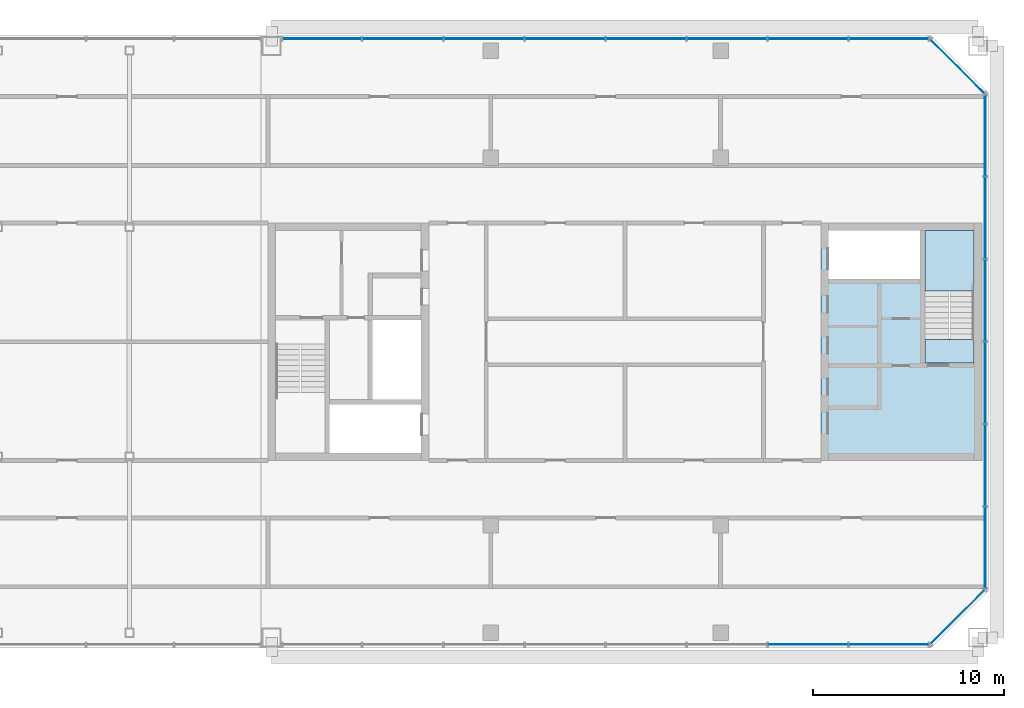
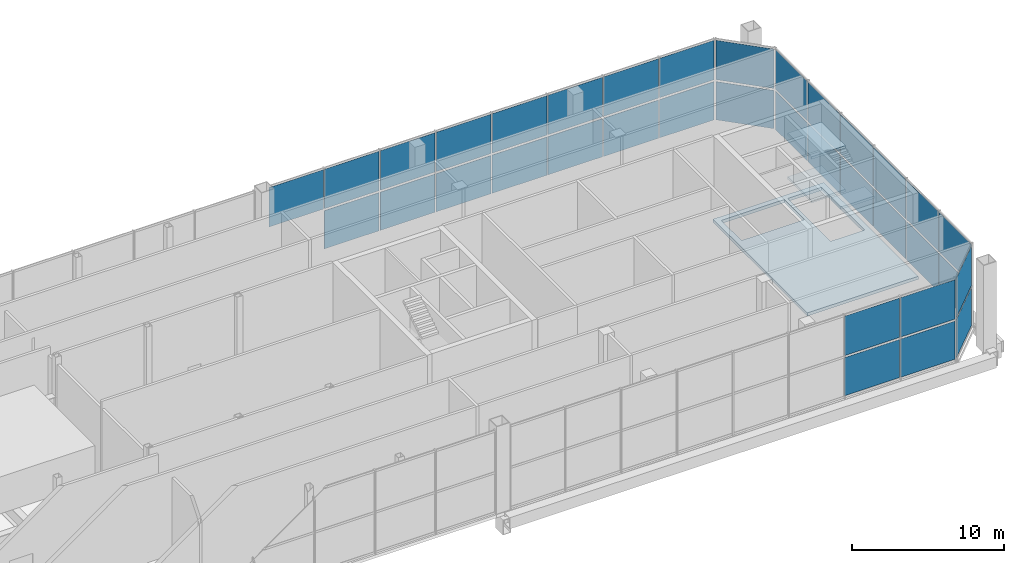
# One storey, part 16 of 27: 35 plates, 4 slabs, 6 elements without a shape of their own.
"""IFC4 building model written with IfcOpenShell, lengths in metres."""

from ifc_helpers import new_model, si_unit, direction, frame, origin, origin_2d, place, context, subcontext, project, spatial, polyline, rectangle, outline, extrude, material, layer, layer_set, type_object, element, aggregate, save


model = new_model("IFC4")

# Units and contexts
model_context = context("Model", 3, precision=1e-05, world=origin(), true_north=direction((0.0, 1.0)))
body_context = subcontext(model_context, "Body", "Model", "MODEL_VIEW")
ifc_project = project(units=[si_unit("LENGTHUNIT", "METRE"), si_unit("AREAUNIT", "SQUARE_METRE"), si_unit("VOLUMEUNIT", "CUBIC_METRE"), si_unit("PLANEANGLEUNIT", "RADIAN"), si_unit("MASSUNIT", "GRAM", prefix="KILO")], contexts=[model_context])

# Site, building, storey
site_placement = place(None, origin())
site = spatial("IfcSite", under=ifc_project, at=site_placement, CompositionType="ELEMENT")
building_placement = place(site_placement, origin())
building = spatial("IfcBuilding", under=site, at=building_placement, Name="Tuart Gate Housing", CompositionType="ELEMENT")
storey_placement = place(building_placement, frame((0.0, 0.0, 236.89990234375)))
storey = spatial("IfcBuildingStorey", under=building, at=storey_placement, Name="L67", CompositionType="ELEMENT", Elevation=236.89990234375)

# Slab
ifc_material_1 = material(Name="Concrete C40", Category="concrete")
ifc_layer_1 = layer(ifc_material_1, 0.25)
ifc_layer_set_1 = layer_set([ifc_layer_1], Name="Core floor slab 250")
slab_type_1 = type_object("IfcSlabType", Name="Core floor slab 250", PredefinedType="FLOOR", material=ifc_layer_set_1)
slab_1_placement = place(storey_placement, frame((0.0, 0.0, -0.25)))
element("IfcSlab", 1, at=slab_1_placement, inside=storey, type_object=slab_type_1, Name="Core floor BK", PredefinedType="FLOOR", context=body_context, shape_type="SweptSolid", body=[
    extrude(outline(polyline([(160.239990234375, 63.800048828125), (168.639892578125, 63.800048828125), (168.639892578125, 76.199951171875), (160.239990234375, 76.199951171875), (160.239990234375, 63.800048828125)]), holes=[polyline([(160.639892578125, 73.14990234375), (165.4150390625, 73.14990234375), (165.4150390625, 75.800048828125), (160.639892578125, 75.800048828125), (160.639892578125, 73.14990234375)]), polyline([(165.6650390625, 70.14501953125), (168.239990234375, 70.14501953125), (168.239990234375, 75.800048828125), (165.6650390625, 75.800048828125), (165.6650390625, 70.14501953125)])]), origin(), (0.0, 0.0, 1.0), 0.25),
])

# Curtain wall, plates
ifc_material_2 = material(Name="Aluminium and clear glass", Category="aluminium")
curtain_wall_type = type_object("IfcCurtainWallType", Name="Damper floor glazing", PredefinedType="USERDEFINED", material=ifc_material_2)
curtain_wall_1_placement = place(storey_placement, origin())
curtain_wall_1 = element("IfcCurtainWall", 2, at=curtain_wall_1_placement, inside=storey, type_object=curtain_wall_type, Name="Damper floor glazing BLK-S L67", ObjectType="DAMPER FLOOR GLAZING", PredefinedType="USERDEFINED")
ifc_material_3 = material(Name="Glass, damper floor glazing", Category="glass")
ifc_layer_2 = layer(ifc_material_3, 0.028076171875)
ifc_layer_set_2 = layer_set([ifc_layer_2], Name="Glazed panel 28 damper floor")
plate_type = type_object("IfcPlateType", Name="Glazed panel 28 damper floor", PredefinedType="CURTAIN_PANEL", material=ifc_layer_set_2)
plate_1_placement = place(storey_placement, frame((159.57373046875, 54.179931640625, 0.16015625), z_axis=(0.0, 0.0, 1.0), x_axis=(1.0, 0.0, 0.0)))
plate_1 = element("IfcPlate", 3, at=plate_1_placement, type_object=plate_type, Name="CW5 panel 7.1", PredefinedType="CURTAIN_PANEL", context=body_context, shape_type="SweptSolid", body=[
    extrude(rectangle(XDim=4.154541015625, YDim=0.028076171875, at=origin_2d()), origin(), (0.0, 0.0, 1.0), 3.06005859375),
])
plate_2_placement = place(storey_placement, frame((159.57373046875, 54.179931640625, 3.38037109375), z_axis=(0.0, 0.0, 1.0), x_axis=(1.0, 0.0, 0.0)))
plate_2 = element("IfcPlate", 4, at=plate_2_placement, type_object=plate_type, Name="CW5 panel 7.2", PredefinedType="CURTAIN_PANEL", context=body_context, shape_type="SweptSolid", body=[
    extrude(rectangle(XDim=4.154541015625, YDim=0.028076171875, at=origin_2d()), origin(), (0.0, 0.0, 1.0), 3.159912109375),
])
plate_3_placement = place(storey_placement, frame((163.788330078125, 54.179931640625, 0.16015625), z_axis=(0.0, 0.0, 1.0), x_axis=(1.0, 0.0, 0.0)))
plate_3 = element("IfcPlate", 5, at=plate_3_placement, type_object=plate_type, Name="CW5 panel 8.1", PredefinedType="CURTAIN_PANEL", context=body_context, shape_type="SweptSolid", body=[
    extrude(rectangle(XDim=4.114501953125, YDim=0.028076171875, at=origin_2d()), origin(), (0.0, 0.0, 1.0), 3.06005859375),
])
plate_4_placement = place(storey_placement, frame((163.788330078125, 54.179931640625, 3.38037109375), z_axis=(0.0, 0.0, 1.0), x_axis=(1.0, 0.0, 0.0)))
plate_4 = element("IfcPlate", 6, at=plate_4_placement, type_object=plate_type, Name="CW5 panel 8.2", PredefinedType="CURTAIN_PANEL", context=body_context, shape_type="SweptSolid", body=[
    extrude(rectangle(XDim=4.114501953125, YDim=0.028076171875, at=origin_2d()), origin(), (0.0, 0.0, 1.0), 3.159912109375),
])
aggregate(curtain_wall_1, [plate_1, plate_2, plate_3, plate_4])

curtain_wall_2_placement = place(storey_placement, origin())
curtain_wall_2 = element("IfcCurtainWall", 7, at=curtain_wall_2_placement, inside=storey, type_object=curtain_wall_type, Name="Damper floor glazing BLK-SE L67", ObjectType="DAMPER FLOOR GLAZING", PredefinedType="USERDEFINED")
plate_5_placement = place(storey_placement, frame((167.372802734375, 55.627197265625, 0.16015625), z_axis=(0.0, 0.0, 1.0), x_axis=(0.707106781187, 0.707106781187, 0.0)))
plate_5 = element("IfcPlate", 8, at=plate_5_placement, type_object=plate_type, Name="CW5 panel 1.1", PredefinedType="CURTAIN_PANEL", context=body_context, shape_type="SweptSolid", body=[
    extrude(rectangle(XDim=3.93359375, YDim=0.028076171875, at=origin_2d()), origin(), (0.0, 0.0, 1.0), 3.06005859375),
])
plate_6_placement = place(storey_placement, frame((167.372802734375, 55.627197265625, 3.38037109375), z_axis=(0.0, 0.0, 1.0), x_axis=(0.707106781187, 0.707106781187, 0.0)))
plate_6 = element("IfcPlate", 9, at=plate_6_placement, type_object=plate_type, Name="CW5 panel 1.2", PredefinedType="CURTAIN_PANEL", context=body_context, shape_type="SweptSolid", body=[
    extrude(rectangle(XDim=3.93359375, YDim=0.028076171875, at=origin_2d()), origin(), (0.0, 0.0, 1.0), 3.159912109375),
])
aggregate(curtain_wall_2, [plate_5, plate_6])

curtain_wall_3_placement = place(storey_placement, origin())
curtain_wall_3 = element("IfcCurtainWall", 10, at=curtain_wall_3_placement, inside=storey, type_object=curtain_wall_type, Name="Damper floor glazing BLK-E L67", ObjectType="DAMPER FLOOR GLAZING", PredefinedType="USERDEFINED")
plate_7_placement = place(storey_placement, frame((168.820068359375, 59.248779296875, 0.16015625), z_axis=(0.0, 0.0, 1.0), x_axis=(0.0, 1.0, 0.0)))
plate_7 = element("IfcPlate", 11, at=plate_7_placement, type_object=plate_type, Name="CW5 panel 1.1", PredefinedType="CURTAIN_PANEL", context=body_context, shape_type="SweptSolid", body=[
    extrude(rectangle(XDim=4.1884765625, YDim=0.028076171875, at=origin_2d()), origin(), (0.0, 0.0, 1.0), 3.06005859375),
])
plate_8_placement = place(storey_placement, frame((168.820068359375, 59.248779296875, 3.38037109375), z_axis=(0.0, 0.0, 1.0), x_axis=(0.0, 1.0, 0.0)))
plate_8 = element("IfcPlate", 12, at=plate_8_placement, type_object=plate_type, Name="CW5 panel 1.2", PredefinedType="CURTAIN_PANEL", context=body_context, shape_type="SweptSolid", body=[
    extrude(rectangle(XDim=4.1884765625, YDim=0.028076171875, at=origin_2d()), origin(), (0.0, 0.0, 1.0), 3.159912109375),
])
plate_9_placement = place(storey_placement, frame((168.820068359375, 63.537353515625, 0.16015625), z_axis=(0.0, 0.0, 1.0), x_axis=(0.0, 1.0, 0.0)))
plate_9 = element("IfcPlate", 13, at=plate_9_placement, type_object=plate_type, Name="CW5 panel 2.1", PredefinedType="CURTAIN_PANEL", context=body_context, shape_type="SweptSolid", body=[
    extrude(rectangle(XDim=4.228515625, YDim=0.028076171875, at=origin_2d()), origin(), (0.0, 0.0, 1.0), 3.06005859375),
])
plate_10_placement = place(storey_placement, frame((168.820068359375, 63.537353515625, 3.38037109375), z_axis=(0.0, 0.0, 1.0), x_axis=(0.0, 1.0, 0.0)))
plate_10 = element("IfcPlate", 14, at=plate_10_placement, type_object=plate_type, Name="CW5 panel 2.2", PredefinedType="CURTAIN_PANEL", context=body_context, shape_type="SweptSolid", body=[
    extrude(rectangle(XDim=4.228515625, YDim=0.028076171875, at=origin_2d()), origin(), (0.0, 0.0, 1.0), 3.159912109375),
])
plate_11_placement = place(storey_placement, frame((168.820068359375, 67.845703125, 0.16015625), z_axis=(0.0, 0.0, 1.0), x_axis=(0.0, 1.0, 0.0)))
plate_11 = element("IfcPlate", 15, at=plate_11_placement, type_object=plate_type, Name="CW5 panel 3.1", PredefinedType="CURTAIN_PANEL", context=body_context, shape_type="SweptSolid", body=[
    extrude(rectangle(XDim=4.228515625, YDim=0.028076171875, at=origin_2d()), origin(), (0.0, 0.0, 1.0), 3.06005859375),
])
plate_12_placement = place(storey_placement, frame((168.820068359375, 67.845703125, 3.38037109375), z_axis=(0.0, 0.0, 1.0), x_axis=(0.0, 1.0, 0.0)))
plate_12 = element("IfcPlate", 16, at=plate_12_placement, type_object=plate_type, Name="CW5 panel 3.2", PredefinedType="CURTAIN_PANEL", context=body_context, shape_type="SweptSolid", body=[
    extrude(rectangle(XDim=4.228515625, YDim=0.028076171875, at=origin_2d()), origin(), (0.0, 0.0, 1.0), 3.159912109375),
])
plate_13_placement = place(storey_placement, frame((168.820068359375, 72.154296875, 0.16015625), z_axis=(0.0, 0.0, 1.0), x_axis=(0.0, 1.0, 0.0)))
plate_13 = element("IfcPlate", 17, at=plate_13_placement, type_object=plate_type, Name="CW5 panel 4.1", PredefinedType="CURTAIN_PANEL", context=body_context, shape_type="SweptSolid", body=[
    extrude(rectangle(XDim=4.228515625, YDim=0.028076171875, at=origin_2d()), origin(), (0.0, 0.0, 1.0), 3.06005859375),
])
plate_14_placement = place(storey_placement, frame((168.820068359375, 72.154296875, 3.38037109375), z_axis=(0.0, 0.0, 1.0), x_axis=(0.0, 1.0, 0.0)))
plate_14 = element("IfcPlate", 18, at=plate_14_placement, type_object=plate_type, Name="CW5 panel 4.2", PredefinedType="CURTAIN_PANEL", context=body_context, shape_type="SweptSolid", body=[
    extrude(rectangle(XDim=4.228515625, YDim=0.028076171875, at=origin_2d()), origin(), (0.0, 0.0, 1.0), 3.159912109375),
])
plate_15_placement = place(storey_placement, frame((168.820068359375, 76.462890625, 0.16015625), z_axis=(0.0, 0.0, 1.0), x_axis=(0.0, 1.0, 0.0)))
plate_15 = element("IfcPlate", 19, at=plate_15_placement, type_object=plate_type, Name="CW5 panel 5.1", PredefinedType="CURTAIN_PANEL", context=body_context, shape_type="SweptSolid", body=[
    extrude(rectangle(XDim=4.228515625, YDim=0.028076171875, at=origin_2d()), origin(), (0.0, 0.0, 1.0), 3.06005859375),
])
plate_16_placement = place(storey_placement, frame((168.820068359375, 76.462890625, 3.38037109375), z_axis=(0.0, 0.0, 1.0), x_axis=(0.0, 1.0, 0.0)))
plate_16 = element("IfcPlate", 20, at=plate_16_placement, type_object=plate_type, Name="CW5 panel 5.2", PredefinedType="CURTAIN_PANEL", context=body_context, shape_type="SweptSolid", body=[
    extrude(rectangle(XDim=4.228515625, YDim=0.028076171875, at=origin_2d()), origin(), (0.0, 0.0, 1.0), 3.159912109375),
])
plate_17_placement = place(storey_placement, frame((168.820068359375, 80.751220703125, 0.16015625), z_axis=(0.0, 0.0, 1.0), x_axis=(0.0, 1.0, 0.0)))
plate_17 = element("IfcPlate", 21, at=plate_17_placement, type_object=plate_type, Name="CW5 panel 6.1", PredefinedType="CURTAIN_PANEL", context=body_context, shape_type="SweptSolid", body=[
    extrude(rectangle(XDim=4.1884765625, YDim=0.028076171875, at=origin_2d()), origin(), (0.0, 0.0, 1.0), 3.06005859375),
])
plate_18_placement = place(storey_placement, frame((168.820068359375, 80.751220703125, 3.38037109375), z_axis=(0.0, 0.0, 1.0), x_axis=(0.0, 1.0, 0.0)))
plate_18 = element("IfcPlate", 22, at=plate_18_placement, type_object=plate_type, Name="CW5 panel 6.2", PredefinedType="CURTAIN_PANEL", context=body_context, shape_type="SweptSolid", body=[
    extrude(rectangle(XDim=4.1884765625, YDim=0.028076171875, at=origin_2d()), origin(), (0.0, 0.0, 1.0), 3.159912109375),
])
aggregate(curtain_wall_3, [plate_7, plate_8, plate_9, plate_10, plate_11, plate_12, plate_13, plate_14, plate_15, plate_16, plate_17, plate_18])

curtain_wall_4_placement = place(storey_placement, origin())
curtain_wall_4 = element("IfcCurtainWall", 23, at=curtain_wall_4_placement, inside=storey, type_object=curtain_wall_type, Name="Damper floor glazing BLK-NE L67", ObjectType="DAMPER FLOOR GLAZING", PredefinedType="USERDEFINED")
plate_19_placement = place(storey_placement, frame((167.372802734375, 84.372802734375, 0.16015625), z_axis=(0.0, 0.0, 1.0), x_axis=(-0.707106781187, 0.707106781187, 0.0)))
plate_19 = element("IfcPlate", 24, at=plate_19_placement, type_object=plate_type, Name="CW5 panel 1.1", PredefinedType="CURTAIN_PANEL", context=body_context, shape_type="SweptSolid", body=[
    extrude(rectangle(XDim=3.93359375, YDim=0.028076171875, at=origin_2d()), origin(), (0.0, 0.0, 1.0), 3.06005859375),
])
plate_20_placement = place(storey_placement, frame((167.372802734375, 84.372802734375, 3.38037109375), z_axis=(0.0, 0.0, 1.0), x_axis=(-0.707106781187, 0.707106781187, 0.0)))
plate_20 = element("IfcPlate", 25, at=plate_20_placement, type_object=plate_type, Name="CW5 panel 1.2", PredefinedType="CURTAIN_PANEL", context=body_context, shape_type="SweptSolid", body=[
    extrude(rectangle(XDim=3.93359375, YDim=0.028076171875, at=origin_2d()), origin(), (0.0, 0.0, 1.0), 3.159912109375),
])
aggregate(curtain_wall_4, [plate_19, plate_20])

curtain_wall_5_placement = place(storey_placement, origin())
curtain_wall_5 = element("IfcCurtainWall", 26, at=curtain_wall_5_placement, inside=storey, type_object=curtain_wall_type, Name="Damper floor glazing BLK-N L67", ObjectType="DAMPER FLOOR GLAZING", PredefinedType="USERDEFINED")
plate_21_placement = place(storey_placement, frame((163.7880859375, 85.820068359375, 0.16015625), z_axis=(0.0, 0.0, 1.0), x_axis=(-1.0, 0.0, 0.0)))
plate_21 = element("IfcPlate", 27, at=plate_21_placement, type_object=plate_type, Name="CW5 panel 1.1", PredefinedType="CURTAIN_PANEL", context=body_context, shape_type="SweptSolid", body=[
    extrude(rectangle(XDim=4.114501953125, YDim=0.028076171875, at=origin_2d()), origin(), (0.0, 0.0, 1.0), 3.06005859375),
])
plate_22_placement = place(storey_placement, frame((163.7880859375, 85.820068359375, 3.38037109375), z_axis=(0.0, 0.0, 1.0), x_axis=(-1.0, 0.0, 0.0)))
plate_22 = element("IfcPlate", 28, at=plate_22_placement, type_object=plate_type, Name="CW5 panel 1.2", PredefinedType="CURTAIN_PANEL", context=body_context, shape_type="SweptSolid", body=[
    extrude(rectangle(XDim=4.114501953125, YDim=0.028076171875, at=origin_2d()), origin(), (0.0, 0.0, 1.0), 3.159912109375),
])
plate_23_placement = place(storey_placement, frame((159.57373046875, 85.820068359375, 0.16015625), z_axis=(0.0, 0.0, 1.0), x_axis=(-1.0, 0.0, 0.0)))
plate_23 = element("IfcPlate", 29, at=plate_23_placement, type_object=plate_type, Name="CW5 panel 2.1", PredefinedType="CURTAIN_PANEL", context=body_context, shape_type="SweptSolid", body=[
    extrude(rectangle(XDim=4.154541015625, YDim=0.028076171875, at=origin_2d()), origin(), (0.0, 0.0, 1.0), 3.06005859375),
])
plate_24_placement = place(storey_placement, frame((159.57373046875, 85.820068359375, 3.38037109375), z_axis=(0.0, 0.0, 1.0), x_axis=(-1.0, 0.0, 0.0)))
plate_24 = element("IfcPlate", 30, at=plate_24_placement, type_object=plate_type, Name="CW5 panel 2.2", PredefinedType="CURTAIN_PANEL", context=body_context, shape_type="SweptSolid", body=[
    extrude(rectangle(XDim=4.154541015625, YDim=0.028076171875, at=origin_2d()), origin(), (0.0, 0.0, 1.0), 3.159912109375),
])
plate_25_placement = place(storey_placement, frame((155.33935546875, 85.820068359375, 0.16015625), z_axis=(0.0, 0.0, 1.0), x_axis=(-1.0, 0.0, 0.0)))
plate_25 = element("IfcPlate", 31, at=plate_25_placement, type_object=plate_type, Name="CW5 panel 3.1", PredefinedType="CURTAIN_PANEL", context=body_context, shape_type="SweptSolid", body=[
    extrude(rectangle(XDim=4.154541015625, YDim=0.028076171875, at=origin_2d()), origin(), (0.0, 0.0, 1.0), 3.06005859375),
])
plate_26_placement = place(storey_placement, frame((155.33935546875, 85.820068359375, 3.38037109375), z_axis=(0.0, 0.0, 1.0), x_axis=(-1.0, 0.0, 0.0)))
plate_26 = element("IfcPlate", 32, at=plate_26_placement, type_object=plate_type, Name="CW5 panel 3.2", PredefinedType="CURTAIN_PANEL", context=body_context, shape_type="SweptSolid", body=[
    extrude(rectangle(XDim=4.154541015625, YDim=0.028076171875, at=origin_2d()), origin(), (0.0, 0.0, 1.0), 3.159912109375),
])
plate_27_placement = place(storey_placement, frame((151.10498046875, 85.820068359375, 0.16015625), z_axis=(0.0, 0.0, 1.0), x_axis=(-1.0, 0.0, 0.0)))
plate_27 = element("IfcPlate", 33, at=plate_27_placement, type_object=plate_type, Name="CW5 panel 4.1", PredefinedType="CURTAIN_PANEL", context=body_context, shape_type="SweptSolid", body=[
    extrude(rectangle(XDim=4.154541015625, YDim=0.028076171875, at=origin_2d()), origin(), (0.0, 0.0, 1.0), 3.06005859375),
])
plate_28_placement = place(storey_placement, frame((151.10498046875, 85.820068359375, 3.38037109375), z_axis=(0.0, 0.0, 1.0), x_axis=(-1.0, 0.0, 0.0)))
plate_28 = element("IfcPlate", 34, at=plate_28_placement, type_object=plate_type, Name="CW5 panel 4.2", PredefinedType="CURTAIN_PANEL", context=body_context, shape_type="SweptSolid", body=[
    extrude(rectangle(XDim=4.154541015625, YDim=0.028076171875, at=origin_2d()), origin(), (0.0, 0.0, 1.0), 3.159912109375),
])
plate_29_placement = place(storey_placement, frame((146.87060546875, 85.820068359375, 0.16015625), z_axis=(0.0, 0.0, 1.0), x_axis=(-1.0, 0.0, 0.0)))
plate_29 = element("IfcPlate", 35, at=plate_29_placement, type_object=plate_type, Name="CW5 panel 5.1", PredefinedType="CURTAIN_PANEL", context=body_context, shape_type="SweptSolid", body=[
    extrude(rectangle(XDim=4.154541015625, YDim=0.028076171875, at=origin_2d()), origin(), (0.0, 0.0, 1.0), 3.06005859375),
])
plate_30_placement = place(storey_placement, frame((146.87060546875, 85.820068359375, 3.38037109375), z_axis=(0.0, 0.0, 1.0), x_axis=(-1.0, 0.0, 0.0)))
plate_30 = element("IfcPlate", 36, at=plate_30_placement, type_object=plate_type, Name="CW5 panel 5.2", PredefinedType="CURTAIN_PANEL", context=body_context, shape_type="SweptSolid", body=[
    extrude(rectangle(XDim=4.154541015625, YDim=0.028076171875, at=origin_2d()), origin(), (0.0, 0.0, 1.0), 3.159912109375),
])
plate_31_placement = place(storey_placement, frame((142.635986328125, 85.820068359375, 0.16015625), z_axis=(0.0, 0.0, 1.0), x_axis=(-1.0, 0.0, 0.0)))
plate_31 = element("IfcPlate", 37, at=plate_31_placement, type_object=plate_type, Name="CW5 panel 6.1", PredefinedType="CURTAIN_PANEL", context=body_context, shape_type="SweptSolid", body=[
    extrude(rectangle(XDim=4.154541015625, YDim=0.028076171875, at=origin_2d()), origin(), (0.0, 0.0, 1.0), 3.06005859375),
])
plate_32_placement = place(storey_placement, frame((142.635986328125, 85.820068359375, 3.38037109375), z_axis=(0.0, 0.0, 1.0), x_axis=(-1.0, 0.0, 0.0)))
plate_32 = element("IfcPlate", 38, at=plate_32_placement, type_object=plate_type, Name="CW5 panel 6.2", PredefinedType="CURTAIN_PANEL", context=body_context, shape_type="SweptSolid", body=[
    extrude(rectangle(XDim=4.154541015625, YDim=0.028076171875, at=origin_2d()), origin(), (0.0, 0.0, 1.0), 3.159912109375),
])
plate_33_placement = place(storey_placement, frame((138.401611328125, 85.820068359375, 0.16015625), z_axis=(0.0, 0.0, 1.0), x_axis=(-1.0, 0.0, 0.0)))
plate_33 = element("IfcPlate", 39, at=plate_33_placement, type_object=plate_type, Name="CW5 panel 7.1", PredefinedType="CURTAIN_PANEL", context=body_context, shape_type="SweptSolid", body=[
    extrude(rectangle(XDim=4.154541015625, YDim=0.028076171875, at=origin_2d()), origin(), (0.0, 0.0, 1.0), 3.06005859375),
])
plate_34_placement = place(storey_placement, frame((138.401611328125, 85.820068359375, 3.38037109375), z_axis=(0.0, 0.0, 1.0), x_axis=(-1.0, 0.0, 0.0)))
plate_34 = element("IfcPlate", 40, at=plate_34_placement, type_object=plate_type, Name="CW5 panel 7.2", PredefinedType="CURTAIN_PANEL", context=body_context, shape_type="SweptSolid", body=[
    extrude(rectangle(XDim=4.154541015625, YDim=0.028076171875, at=origin_2d()), origin(), (0.0, 0.0, 1.0), 3.159912109375),
])
plate_35_placement = place(storey_placement, frame((134.187255859375, 85.820068359375, 3.38037109375), z_axis=(0.0, 0.0, 1.0), x_axis=(-1.0, 0.0, 0.0)))
plate_35 = element("IfcPlate", 41, at=plate_35_placement, type_object=plate_type, Name="CW5 panel 8.2", PredefinedType="CURTAIN_PANEL", context=body_context, shape_type="SweptSolid", body=[
    extrude(rectangle(XDim=4.114501953125, YDim=0.028076171875, at=origin_2d()), origin(), (0.0, 0.0, 1.0), 3.159912109375),
])
aggregate(curtain_wall_5, [plate_21, plate_22, plate_23, plate_24, plate_25, plate_26, plate_27, plate_28, plate_29, plate_30, plate_31, plate_32, plate_33, plate_34, plate_35])

# Stair, slabs
ifc_material_4 = material(Name="Concrete C40", Category="concrete")
stair_type = type_object("IfcStairType", Name="Core stair 1250", PredefinedType="HALF_TURN_STAIR", material=ifc_material_4)
stair_placement = place(storey_placement, origin())
stair = element("IfcStair", 42, at=stair_placement, inside=storey, type_object=stair_type, Name="Stair SB2", PredefinedType="HALF_TURN_STAIR")
ifc_material_5 = material(Name="Concrete C40", Category="concrete")
ifc_layer_3 = layer(ifc_material_5, 0.199951171875)
ifc_layer_set_3 = layer_set([ifc_layer_3], Name="Stair landing 200")
slab_type_2 = type_object("IfcSlabType", Name="Stair landing 200", PredefinedType="LANDING", material=ifc_layer_set_3)
slab_2_placement = place(storey_placement, frame((0.0, 0.0, 1.550048828125)))
slab_2 = element("IfcSlab", 43, at=slab_2_placement, type_object=slab_type_2, Name="SB2 landing 1", PredefinedType="LANDING", context=body_context, shape_type="SweptSolid", body=[
    extrude(outline(polyline([(165.6650390625, 72.64501953125), (168.239990234375, 72.64501953125), (168.239990234375, 75.800048828125), (165.6650390625, 75.800048828125), (165.6650390625, 72.64501953125)])), origin(), (0.0, 0.0, 1.0), 0.199951171875),
])
slab_3_placement = place(storey_placement, frame((0.0, 0.0, 3.300048828125)))
slab_3 = element("IfcSlab", 44, at=slab_3_placement, type_object=slab_type_2, Name="SB2 landing 2", PredefinedType="LANDING", context=body_context, shape_type="SweptSolid", body=[
    extrude(outline(polyline([(168.239990234375, 68.875), (168.239990234375, 70.125), (165.6650390625, 70.125), (165.6650390625, 68.875), (168.239990234375, 68.875)])), origin(), (0.0, 0.0, 1.0), 0.199951171875),
])
slab_4_placement = place(storey_placement, frame((0.0, 0.0, 5.050048828125)))
slab_4 = element("IfcSlab", 45, at=slab_4_placement, type_object=slab_type_2, Name="SB2 landing 3", PredefinedType="LANDING", context=body_context, shape_type="SweptSolid", body=[
    extrude(outline(polyline([(165.6650390625, 72.64501953125), (168.239990234375, 72.64501953125), (168.239990234375, 75.800048828125), (165.6650390625, 75.800048828125), (165.6650390625, 72.64501953125)])), origin(), (0.0, 0.0, 1.0), 0.199951171875),
])
aggregate(stair, [slab_2, slab_3, slab_4])

save(model, "model.ifc")
